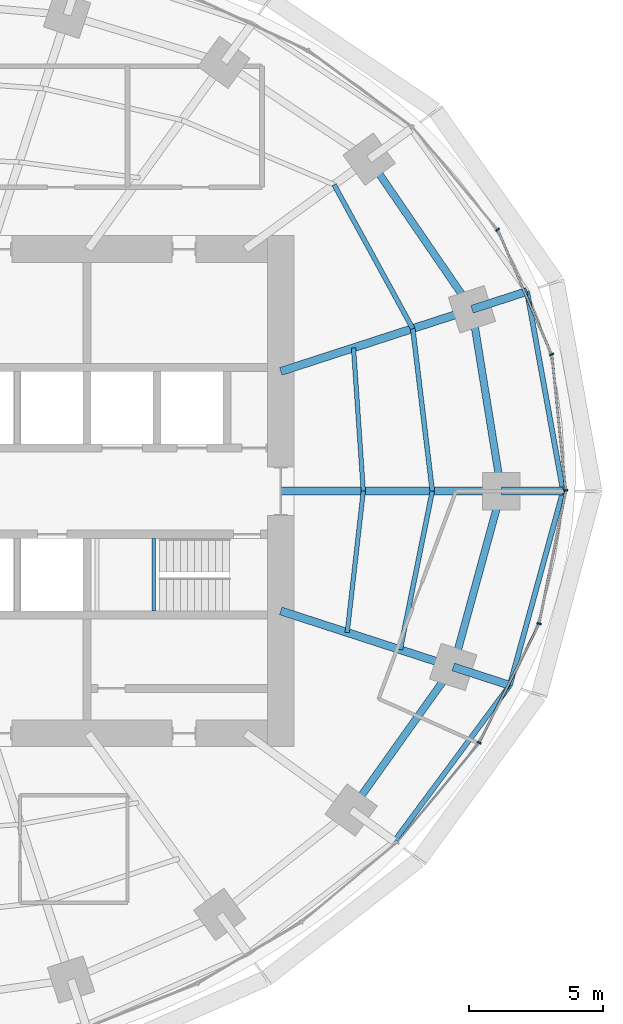
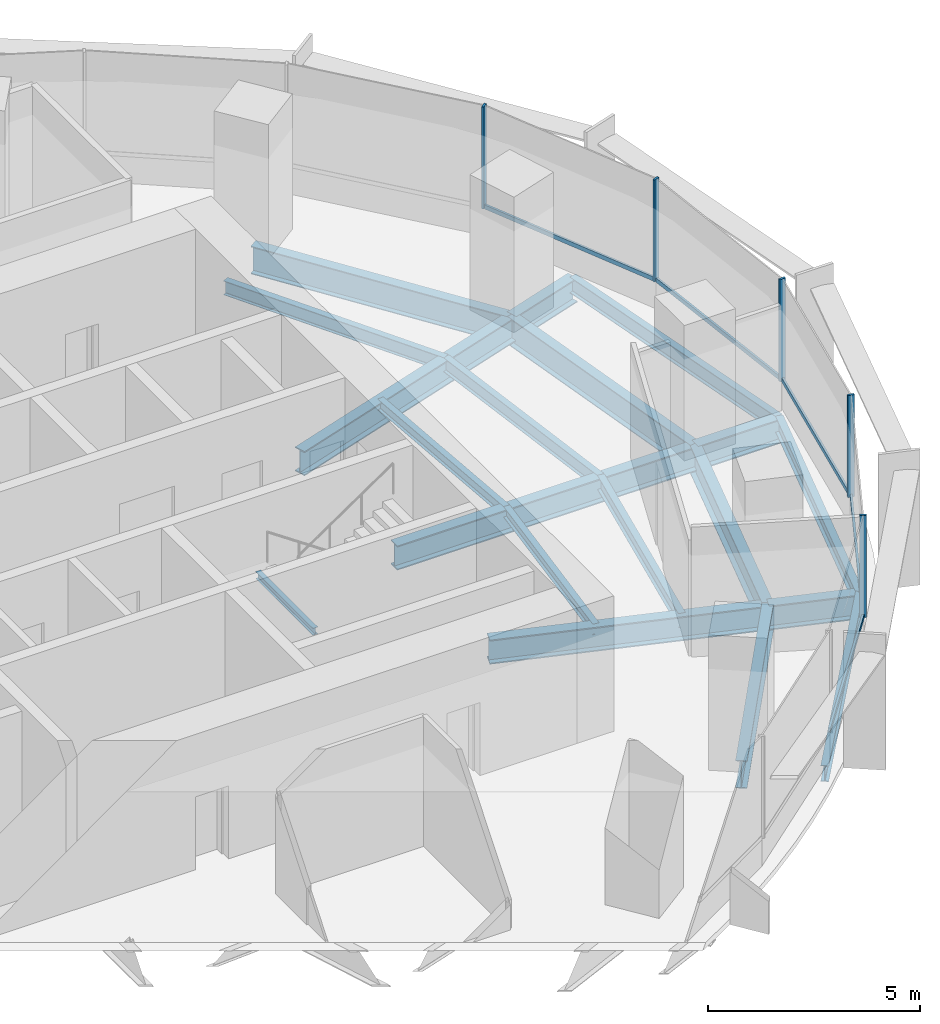
# One storey, part 6 of 14: 19 beams, 10 members, 2 elements without a shape of their own.
"""IFC4 building model written with IfcOpenShell, lengths in metres."""

from ifc_helpers import new_model, si_unit, direction, frame, origin, origin_2d, place, context, subcontext, project, spatial, rectangle, i_section, extrude, material, material_profile, profile_set, type_object, element, aggregate, save


model = new_model("IFC4")

# Units and contexts
model_context = context("Model", 3, precision=1e-05, world=origin(), true_north=direction((0.0, 1.0)))
body_context = subcontext(model_context, "Body", "Model", "MODEL_VIEW")
ifc_project = project(units=[si_unit("LENGTHUNIT", "METRE"), si_unit("AREAUNIT", "SQUARE_METRE"), si_unit("VOLUMEUNIT", "CUBIC_METRE"), si_unit("PLANEANGLEUNIT", "RADIAN"), si_unit("MASSUNIT", "GRAM", prefix="KILO")], contexts=[model_context])

# Site, building, storey
site_placement = place(None, origin())
site = spatial("IfcSite", under=ifc_project, at=site_placement, CompositionType="ELEMENT")
building_placement = place(site_placement, origin())
building = spatial("IfcBuilding", under=site, at=building_placement, Name="Marramba Exchange Tower", CompositionType="ELEMENT")
storey_placement = place(building_placement, frame((0.0, 0.0, 234.5)))
storey = spatial("IfcBuildingStorey", under=building, at=storey_placement, Name="L57", CompositionType="ELEMENT", Elevation=234.5)

# Beams
ifc_material_1 = material(Name="Steel AS/NZS 3679.2 grade 300", Category="steel")
ifc_material_profile_1 = material_profile(ifc_material_1, i_section(OverallWidth=0.300048828125, OverallDepth=0.699951171875, WebThickness=0.010009765625, FlangeThickness=0.031982421875, at=origin_2d()), Name="700WB173")
ifc_profile_set_1 = profile_set([ifc_material_profile_1], Name="Steel AS/NZS 3679.2 grade 300")
beam_type_1 = type_object("IfcBeamType", Name="Cantilever girder 700WB173", PredefinedType="BEAM", material=ifc_profile_set_1)
beam_1_placement = place(storey_placement, frame((21.89990234375, 0.0, -0.510009765625), z_axis=(1.0, 0.0, 0.0), x_axis=(0.0, 1.0, 0.0)))
element("IfcBeam", 1, at=beam_1_placement, inside=storey, type_object=beam_type_1, Name="Cantilever girder L57 TC01", PredefinedType="BEAM", context=body_context, shape_type="SweptSolid", body=[
    extrude(i_section(OverallWidth=0.300048828125, OverallDepth=0.699951171875, WebThickness=0.010009765625, FlangeThickness=0.031982421875, at=origin_2d()), origin(), (0.0, 0.0, 1.0), 2.294189453125),
])
beam_2_placement = place(storey_placement, frame((20.808349609375, 6.760986328125, -0.510009765625), z_axis=(0.951051587859, 0.309032162129, 0.0), x_axis=(-0.309032162129, 0.951051587859, 0.0)))
element("IfcBeam", 2, at=beam_2_placement, inside=storey, type_object=beam_type_1, Name="Cantilever girder L57 TC02", PredefinedType="BEAM", context=body_context, shape_type="SweptSolid", body=[
    extrude(i_section(OverallWidth=0.300048828125, OverallDepth=0.699951171875, WebThickness=0.010009765625, FlangeThickness=0.031982421875, at=origin_2d()), origin(), (0.0, 0.0, 1.0), 2.150390625),
])
beam_3_placement = place(storey_placement, frame((20.109375, -6.533935546875, -0.510009765625), z_axis=(0.951050283347, -0.309036176758, 0.0), x_axis=(0.309036176758, 0.951050283347, 0.0)))
element("IfcBeam", 3, at=beam_3_placement, inside=storey, type_object=beam_type_1, Name="Cantilever girder L57 TC20", PredefinedType="BEAM", context=body_context, shape_type="SweptSolid", body=[
    extrude(i_section(OverallWidth=0.300048828125, OverallDepth=0.699951171875, WebThickness=0.010009765625, FlangeThickness=0.031982421875, at=origin_2d()), origin(), (0.0, 0.0, 1.0), 2.212890625),
])
ifc_material_2 = material(Name="Steel AS/NZS 3679.1 grade 300", Category="steel")
ifc_material_profile_2 = material_profile(ifc_material_2, i_section(OverallWidth=0.166015625, OverallDepth=0.306884765625, WebThickness=0.006591796875, FlangeThickness=0.01171875, FilletRadius=0.011474609375, at=origin_2d()), Name="310UB46.2")
ifc_profile_set_2 = profile_set([ifc_material_profile_2], Name="Steel AS/NZS 3679.1 grade 300")
beam_type_2 = type_object("IfcBeamType", Name="Floor joist 310UB46.2", PredefinedType="JOIST", material=ifc_profile_set_2)
beam_4_placement = place(storey_placement, frame((16.7666015625, 0.0, -0.3134765625), z_axis=(-0.068096259546, 0.99767875563, 0.0), x_axis=(-0.99767875563, -0.068096259546, 0.0)))
element("IfcBeam", 4, at=beam_4_placement, inside=storey, type_object=beam_type_2, Name="Joist L57 bay 01 row 1", PredefinedType="JOIST", context=body_context, shape_type="SweptSolid", body=[
    extrude(i_section(OverallWidth=0.166015625, OverallDepth=0.306884765625, WebThickness=0.006591796875, FlangeThickness=0.01171875, FilletRadius=0.011474609375, at=origin_2d()), origin(), (0.0, 0.0, 1.0), 5.342041015625),
])
beam_5_placement = place(storey_placement, frame((16.169677734375, -5.25390625, -0.3134765625), z_axis=(0.112888968594, 0.993607609054, 0.0), x_axis=(-0.993607609054, 0.112888968594, 0.0)))
element("IfcBeam", 5, at=beam_5_placement, inside=storey, type_object=beam_type_2, Name="Joist L57 bay 20 row 1", PredefinedType="JOIST", context=body_context, shape_type="SweptSolid", body=[
    extrude(i_section(OverallWidth=0.166015625, OverallDepth=0.306884765625, WebThickness=0.006591796875, FlangeThickness=0.01171875, FilletRadius=0.011474609375, at=origin_2d()), origin(), (0.0, 0.0, 1.0), 5.28759765625),
])
ifc_material_profile_3 = material_profile(ifc_material_2, i_section(OverallWidth=0.177978515625, OverallDepth=0.406005859375, WebThickness=0.0078125, FlangeThickness=0.0126953125, FilletRadius=0.011474609375, at=origin_2d()), Name="410UB59.7")
ifc_profile_set_3 = profile_set([ifc_material_profile_3], Name="Steel AS/NZS 3679.1 grade 300")
beam_type_3 = type_object("IfcBeamType", Name="Floor joist 410UB59.7", PredefinedType="JOIST", material=ifc_profile_set_3)
beam_6_placement = place(storey_placement, frame((19.333251953125, 0.0, -0.363037109375), z_axis=(-0.119523078538, 0.992831422597, 0.0), x_axis=(-0.992831422597, -0.119523078538, 0.0)))
element("IfcBeam", 6, at=beam_6_placement, inside=storey, type_object=beam_type_3, Name="Joist L57 bay 01 row 2", PredefinedType="JOIST", context=body_context, shape_type="SweptSolid", body=[
    extrude(i_section(OverallWidth=0.177978515625, OverallDepth=0.406005859375, WebThickness=0.0078125, FlangeThickness=0.0126953125, FilletRadius=0.011474609375, at=origin_2d()), origin(), (0.0, 0.0, 1.0), 6.089111328125),
])
beam_7_placement = place(storey_placement, frame((18.60546875, 6.04541015625, -0.363037109375), z_axis=(-0.479584443791, 0.877495732909, 0.0), x_axis=(-0.877495732909, -0.479584443791, 0.0)))
element("IfcBeam", 7, at=beam_7_placement, inside=storey, type_object=beam_type_3, Name="Joist L57 bay 02 row 2", PredefinedType="JOIST", context=body_context, shape_type="SweptSolid", body=[
    extrude(i_section(OverallWidth=0.177978515625, OverallDepth=0.406005859375, WebThickness=0.0078125, FlangeThickness=0.0126953125, FilletRadius=0.011474609375, at=origin_2d()), origin(), (0.0, 0.0, 1.0), 6.094970703125),
])
beam_8_placement = place(storey_placement, frame((18.1396484375, -5.893798828125, -0.363037109375), z_axis=(0.198489047047, 0.980103105904, 0.0), x_axis=(-0.980103105904, 0.198489047047, 0.0)))
element("IfcBeam", 8, at=beam_8_placement, inside=storey, type_object=beam_type_3, Name="Joist L57 bay 20 row 2", PredefinedType="JOIST", context=body_context, shape_type="SweptSolid", body=[
    extrude(i_section(OverallWidth=0.177978515625, OverallDepth=0.406005859375, WebThickness=0.0078125, FlangeThickness=0.0126953125, FilletRadius=0.011474609375, at=origin_2d()), origin(), (0.0, 0.0, 1.0), 6.013427734375),
])

# Curtain wall, members
ifc_material_3 = material(Name="Aluminium framing, bronze anodised", Category="aluminium")
curtain_wall_type = type_object("IfcCurtainWallType", Name="Office ribbon curtain wall", PredefinedType="USERDEFINED", material=ifc_material_3)
curtain_wall_1_placement = place(storey_placement, origin())
curtain_wall_1 = element("IfcCurtainWall", 9, at=curtain_wall_1_placement, inside=storey, type_object=curtain_wall_type, Name="Curtain wall CW4 L57 F01-F05", ObjectType="RIBBON CURTAIN WALL", PredefinedType="USERDEFINED")
ifc_material_4 = material(Name="Aluminium mullion, bronze anodised", Category="aluminium")
ifc_material_profile_4 = material_profile(ifc_material_4, rectangle(XDim=0.159912109375, YDim=0.06005859375, at=origin_2d()), Name="CW4 mullion 60x160")
ifc_profile_set_4 = profile_set([ifc_material_profile_4], Name="Aluminium mullion, bronze anodised")
member_type_1 = type_object("IfcMemberType", Name="Office ribbon curtain wall mullion", PredefinedType="MULLION", material=ifc_profile_set_4)
member_1_placement = place(storey_placement, frame((24.291015625, 0.02978515625, 0.800048828125), z_axis=(0.0, 0.0, 1.0), x_axis=(-0.994843446001, -0.101422472607, 0.0)))
member_1 = element("IfcMember", 10, at=member_1_placement, type_object=member_type_1, Name="CW4 mullion 1", PredefinedType="MULLION", context=body_context, shape_type="SweptSolid", body=[
    extrude(rectangle(XDim=0.159912109375, YDim=0.06005859375, at=origin_2d()), origin(), (0.0, 0.0, 1.0), 2.93994140625),
])
member_2_placement = place(storey_placement, frame((23.766845703125, 5.081787109375, 0.800048828125), z_axis=(0.0, 0.0, 1.0), x_axis=(-0.918167104527, -0.396193346946, 0.0)))
member_2 = element("IfcMember", 11, at=member_2_placement, type_object=member_type_1, Name="CW4 mullion 1", PredefinedType="MULLION", context=body_context, shape_type="SweptSolid", body=[
    extrude(rectangle(XDim=0.159912109375, YDim=0.06005859375, at=origin_2d()), origin(), (0.0, 0.0, 1.0), 2.93994140625),
])
member_3_placement = place(storey_placement, frame((21.757080078125, 9.718505859375, 0.800048828125), z_axis=(0.0, 0.0, 1.0), x_axis=(-0.770574258342, -0.637350227411, 0.0)))
member_3 = element("IfcMember", 12, at=member_3_placement, type_object=member_type_1, Name="CW4 mullion 1", PredefinedType="MULLION", context=body_context, shape_type="SweptSolid", body=[
    extrude(rectangle(XDim=0.159912109375, YDim=0.06005859375, at=origin_2d()), origin(), (0.0, 0.0, 1.0), 2.93994140625),
])

curtain_wall_2_placement = place(storey_placement, origin())
curtain_wall_2 = element("IfcCurtainWall", 13, at=curtain_wall_2_placement, inside=storey, type_object=curtain_wall_type, Name="Curtain wall CW4 L57 F26-F30", ObjectType="RIBBON CURTAIN WALL", PredefinedType="USERDEFINED")
member_4_placement = place(storey_placement, frame((21.07568359375, -9.3505859375, 0.800048828125), z_axis=(0.0, 0.0, 1.0), x_axis=(-0.892689067591, 0.450673083956, 0.0)))
member_4 = element("IfcMember", 14, at=member_4_placement, type_object=member_type_1, Name="CW4 mullion 1", PredefinedType="MULLION", context=body_context, shape_type="SweptSolid", body=[
    extrude(rectangle(XDim=0.159912109375, YDim=0.06005859375, at=origin_2d()), origin(), (0.0, 0.0, 1.0), 2.93994140625),
])
member_5_placement = place(storey_placement, frame((23.30224609375, -4.92236328125, 0.800048828125), z_axis=(0.0, 0.0, 1.0), x_axis=(-0.980303812539, 0.197495405316, 0.0)))
member_5 = element("IfcMember", 15, at=member_5_placement, type_object=member_type_1, Name="CW4 mullion 1", PredefinedType="MULLION", context=body_context, shape_type="SweptSolid", body=[
    extrude(rectangle(XDim=0.159912109375, YDim=0.06005859375, at=origin_2d()), origin(), (0.0, 0.0, 1.0), 2.93994140625),
])

# Member
ifc_material_5 = material(Name="Aluminium transom, bronze anodised", Category="aluminium")
ifc_material_profile_5 = material_profile(ifc_material_5, rectangle(XDim=0.06005859375, YDim=0.1201171875, at=origin_2d()), Name="CW4 transom 60x120")
ifc_profile_set_5 = profile_set([ifc_material_profile_5], Name="Aluminium transom, bronze anodised")
member_type_2 = type_object("IfcMemberType", Name="Office ribbon curtain wall transom", PredefinedType="USERDEFINED", material=ifc_profile_set_5)
member_6_placement = place(storey_placement, frame((24.287841796875, 0.0595703125, 0.830078125), z_axis=(-0.101386007846, 0.994847162841, 0.0), x_axis=(-0.994847162841, -0.101386007846, 0.0)))
member_6 = element("IfcMember", 16, at=member_6_placement, type_object=member_type_2, Name="CW4 sill transom", ObjectType="TRANSOM", PredefinedType="USERDEFINED", context=body_context, shape_type="SweptSolid", body=[
    extrude(rectangle(XDim=0.06005859375, YDim=0.1201171875, at=origin_2d()), origin(), (0.0, 0.0, 1.0), 5.020751953125),
])

member_7_placement = place(storey_placement, frame((23.7548828125, 5.109375, 0.830078125), z_axis=(-0.396177573744, 0.918173910576, 0.0), x_axis=(-0.918173910576, -0.396177573744, 0.0)))
member_7 = element("IfcMember", 17, at=member_7_placement, type_object=member_type_2, Name="CW4 sill transom", ObjectType="TRANSOM", PredefinedType="USERDEFINED", context=body_context, shape_type="SweptSolid", body=[
    extrude(rectangle(XDim=0.06005859375, YDim=0.1201171875, at=origin_2d()), origin(), (0.0, 0.0, 1.0), 4.99462890625),
])

aggregate(curtain_wall_1, [member_1, member_6, member_2, member_7, member_3])

member_8_placement = place(storey_placement, frame((18.03515625, -13.029296875, 0.830078125), z_axis=(0.638146908901, 0.76991462037, 0.0), x_axis=(-0.76991462037, 0.638146908901, 0.0)))
member_8 = element("IfcMember", 18, at=member_8_placement, type_object=member_type_2, Name="CW4 sill transom", ObjectType="TRANSOM", PredefinedType="USERDEFINED", context=body_context, shape_type="SweptSolid", body=[
    extrude(rectangle(XDim=0.06005859375, YDim=0.1201171875, at=origin_2d()), origin(), (0.0, 0.0, 1.0), 4.7431640625),
])

member_9_placement = place(storey_placement, frame((21.089111328125, -9.323974609375, 0.830078125), z_axis=(0.450679681949, 0.892685736572, 0.0), x_axis=(-0.892685736572, 0.450679681949, 0.0)))
member_9 = element("IfcMember", 19, at=member_9_placement, type_object=member_type_2, Name="CW4 sill transom", ObjectType="TRANSOM", PredefinedType="USERDEFINED", context=body_context, shape_type="SweptSolid", body=[
    extrude(rectangle(XDim=0.06005859375, YDim=0.1201171875, at=origin_2d()), origin(), (0.0, 0.0, 1.0), 4.897705078125),
])

member_10_placement = place(storey_placement, frame((23.308349609375, -4.89306640625, 0.830078125), z_axis=(0.197461053167, 0.980310732616, 0.0), x_axis=(-0.980310732616, 0.197461053167, 0.0)))
member_10 = element("IfcMember", 20, at=member_10_placement, type_object=member_type_2, Name="CW4 sill transom", ObjectType="TRANSOM", PredefinedType="USERDEFINED", context=body_context, shape_type="SweptSolid", body=[
    extrude(rectangle(XDim=0.06005859375, YDim=0.1201171875, at=origin_2d()), origin(), (0.0, 0.0, 1.0), 4.991455078125),
])

aggregate(curtain_wall_2, [member_8, member_4, member_9, member_5, member_10])

# Beams
ifc_material_profile_6 = material_profile(ifc_material_1, i_section(OverallWidth=0.300048828125, OverallDepth=0.699951171875, WebThickness=0.010009765625, FlangeThickness=0.031982421875, at=origin_2d()), Name="700WB173")
ifc_profile_set_6 = profile_set([ifc_material_profile_6], Name="Steel AS/NZS 3679.2 grade 300")
beam_type_4 = type_object("IfcBeamType", Name="Radial girder 700WB173", PredefinedType="BEAM", material=ifc_profile_set_6)
beam_9_placement = place(storey_placement, frame((13.699951171875, 0.0, -0.510009765625), z_axis=(1.0, 0.0, 0.0), x_axis=(0.0, 1.0, 0.0)))
element("IfcBeam", 21, at=beam_9_placement, inside=storey, type_object=beam_type_4, Name="Radial girder L57 TC01", PredefinedType="BEAM", context=body_context, shape_type="SweptSolid", body=[
    extrude(i_section(OverallWidth=0.300048828125, OverallDepth=0.699951171875, WebThickness=0.010009765625, FlangeThickness=0.031982421875, at=origin_2d()), origin(), (0.0, 0.0, 1.0), 8.199951171875),
])
beam_10_placement = place(storey_placement, frame((13.699951171875, 4.451416015625, -0.510009765625), z_axis=(0.951059990189, 0.309006302624, 0.0), x_axis=(-0.309006302624, 0.951059990189, 0.0)))
element("IfcBeam", 22, at=beam_10_placement, inside=storey, type_object=beam_type_4, Name="Radial girder L57 TC02", PredefinedType="BEAM", context=body_context, shape_type="SweptSolid", body=[
    extrude(i_section(OverallWidth=0.300048828125, OverallDepth=0.699951171875, WebThickness=0.010009765625, FlangeThickness=0.031982421875, at=origin_2d()), origin(), (0.0, 0.0, 1.0), 7.47412109375),
])
beam_11_placement = place(storey_placement, frame((13.699951171875, -4.451416015625, -0.510009765625), z_axis=(0.951057759669, -0.309013167637, 0.0), x_axis=(0.309013167637, 0.951057759669, 0.0)))
element("IfcBeam", 23, at=beam_11_placement, inside=storey, type_object=beam_type_4, Name="Radial girder L57 TC20", PredefinedType="BEAM", context=body_context, shape_type="SweptSolid", body=[
    extrude(i_section(OverallWidth=0.300048828125, OverallDepth=0.699951171875, WebThickness=0.010009765625, FlangeThickness=0.031982421875, at=origin_2d()), origin(), (0.0, 0.0, 1.0), 6.7392578125),
])
ifc_material_profile_7 = material_profile(ifc_material_1, i_section(OverallWidth=0.27490234375, OverallDepth=0.800048828125, WebThickness=0.010009765625, FlangeThickness=0.02490234375, at=origin_2d()), Name="800WB168")
ifc_profile_set_7 = profile_set([ifc_material_profile_7], Name="Steel AS/NZS 3679.2 grade 300")
beam_type_5 = type_object("IfcBeamType", Name="Ring beam 800WB168", PredefinedType="SPANDREL", material=ifc_profile_set_7)
beam_12_placement = place(storey_placement, frame((21.89990234375, 0.0, -0.56005859375), z_axis=(-0.159384865399, 0.987216523708, 0.0), x_axis=(-0.987216523708, -0.159384865399, 0.0)))
element("IfcBeam", 24, at=beam_12_placement, inside=storey, type_object=beam_type_5, Name="Ring beam L57 TC01-TC02", PredefinedType="SPANDREL", context=body_context, shape_type="SweptSolid", body=[
    extrude(i_section(OverallWidth=0.27490234375, OverallDepth=0.800048828125, WebThickness=0.010009765625, FlangeThickness=0.02490234375, at=origin_2d()), origin(), (0.0, 0.0, 1.0), 6.8486328125),
])
beam_13_placement = place(storey_placement, frame((20.808349609375, 6.760986328125, -0.56005859375), z_axis=(-0.56516002054, 0.824981303535, 0.0), x_axis=(-0.824981303535, -0.56516002054, 0.0)))
element("IfcBeam", 25, at=beam_13_placement, inside=storey, type_object=beam_type_5, Name="Ring beam L57 TC02-TC03", PredefinedType="SPANDREL", context=body_context, shape_type="SweptSolid", body=[
    extrude(i_section(OverallWidth=0.27490234375, OverallDepth=0.800048828125, WebThickness=0.010009765625, FlangeThickness=0.02490234375, at=origin_2d()), origin(), (0.0, 0.0, 1.0), 6.763671875),
])
beam_14_placement = place(storey_placement, frame((16.3154296875, -11.853759765625, -0.56005859375), z_axis=(0.580637181111, 0.814162430914, 0.0), x_axis=(-0.814162430914, 0.580637181111, 0.0)))
element("IfcBeam", 26, at=beam_14_placement, inside=storey, type_object=beam_type_5, Name="Ring beam L57 TC19-TC20", PredefinedType="SPANDREL", context=body_context, shape_type="SweptSolid", body=[
    extrude(i_section(OverallWidth=0.27490234375, OverallDepth=0.800048828125, WebThickness=0.010009765625, FlangeThickness=0.02490234375, at=origin_2d()), origin(), (0.0, 0.0, 1.0), 6.5341796875),
])
beam_15_placement = place(storey_placement, frame((20.109375, -6.533935546875, -0.56005859375), z_axis=(0.264291166956, 0.964442937176, 0.0), x_axis=(-0.964442937176, 0.264291166956, 0.0)))
element("IfcBeam", 27, at=beam_15_placement, inside=storey, type_object=beam_type_5, Name="Ring beam L57 TC20-TC01", PredefinedType="SPANDREL", context=body_context, shape_type="SweptSolid", body=[
    extrude(i_section(OverallWidth=0.27490234375, OverallDepth=0.800048828125, WebThickness=0.010009765625, FlangeThickness=0.02490234375, at=origin_2d()), origin(), (0.0, 0.0, 1.0), 6.77490234375),
])
ifc_material_profile_8 = material_profile(ifc_material_2, i_section(OverallWidth=0.19091796875, OverallDepth=0.4599609375, WebThickness=0.010009765625, FlangeThickness=0.01611328125, FilletRadius=0.011474609375, at=origin_2d()), Name="460UB82.1")
ifc_profile_set_8 = profile_set([ifc_material_profile_8], Name="Steel AS/NZS 3679.1 grade 300")
beam_type_6 = type_object("IfcBeamType", Name="Slab edge beam 460UB82.1", PredefinedType="SPANDREL", material=ifc_profile_set_8)
beam_16_placement = place(storey_placement, frame((24.194091796875, 0.0, -0.389892578125), z_axis=(-0.177663817107, 0.984091239719, 0.0), x_axis=(-0.984091239719, -0.177663817107, 0.0)))
element("IfcBeam", 28, at=beam_16_placement, inside=storey, type_object=beam_type_6, Name="Slab edge beam L57 TC01-TC02", PredefinedType="SPANDREL", context=body_context, shape_type="SweptSolid", body=[
    extrude(i_section(OverallWidth=0.19091796875, OverallDepth=0.4599609375, WebThickness=0.010009765625, FlangeThickness=0.01611328125, FilletRadius=0.011474609375, at=origin_2d()), origin(), (0.0, 0.0, 1.0), 7.545654296875),
])
beam_17_placement = place(storey_placement, frame((17.916015625, -13.016845703125, -0.389892578125), z_axis=(0.595428136035, 0.803408572781, 0.0), x_axis=(-0.803408572781, 0.595428136035, 0.0)))
element("IfcBeam", 29, at=beam_17_placement, inside=storey, type_object=beam_type_6, Name="Slab edge beam L57 TC19-TC20", PredefinedType="SPANDREL", context=body_context, shape_type="SweptSolid", body=[
    extrude(i_section(OverallWidth=0.19091796875, OverallDepth=0.4599609375, WebThickness=0.010009765625, FlangeThickness=0.01611328125, FilletRadius=0.011474609375, at=origin_2d()), origin(), (0.0, 0.0, 1.0), 7.218017578125),
])
beam_18_placement = place(storey_placement, frame((22.2138671875, -7.2177734375, -0.389892578125), z_axis=(0.264577205901, 0.964364506874, 0.0), x_axis=(-0.964364506874, 0.264577205901, 0.0)))
element("IfcBeam", 30, at=beam_18_placement, inside=storey, type_object=beam_type_6, Name="Slab edge beam L57 TC20-TC01", PredefinedType="SPANDREL", context=body_context, shape_type="SweptSolid", body=[
    extrude(i_section(OverallWidth=0.19091796875, OverallDepth=0.4599609375, WebThickness=0.010009765625, FlangeThickness=0.01611328125, FilletRadius=0.011474609375, at=origin_2d()), origin(), (0.0, 0.0, 1.0), 7.484375),
])
ifc_material_profile_9 = material_profile(ifc_material_2, i_section(OverallWidth=0.133056640625, OverallDepth=0.202880859375, WebThickness=0.005859375, FlangeThickness=0.0078125, FilletRadius=0.0087890625, at=origin_2d()), Name="200UB25.4")
ifc_profile_set_9 = profile_set([ifc_material_profile_9], Name="Steel AS/NZS 3679.1 grade 300")
beam_type_7 = type_object("IfcBeamType", Name="Stair landing beam 200UB25.4", PredefinedType="BEAM", material=ifc_profile_set_9)
beam_19_placement = place(storey_placement, frame((8.9833984375, -4.449951171875, 1.6484375), z_axis=(0.0, 1.0, 0.0), x_axis=(-1.0, 0.0, 0.0)))
element("IfcBeam", 31, at=beam_19_placement, inside=storey, type_object=beam_type_7, Name="Stair landing beam SLB1 ST2 L57 2", PredefinedType="BEAM", context=body_context, shape_type="SweptSolid", body=[
    extrude(i_section(OverallWidth=0.133056640625, OverallDepth=0.202880859375, WebThickness=0.005859375, FlangeThickness=0.0078125, FilletRadius=0.0087890625, at=origin_2d()), origin(), (0.0, 0.0, 1.0), 2.699951171875),
])

save(model, "model.ifc")
